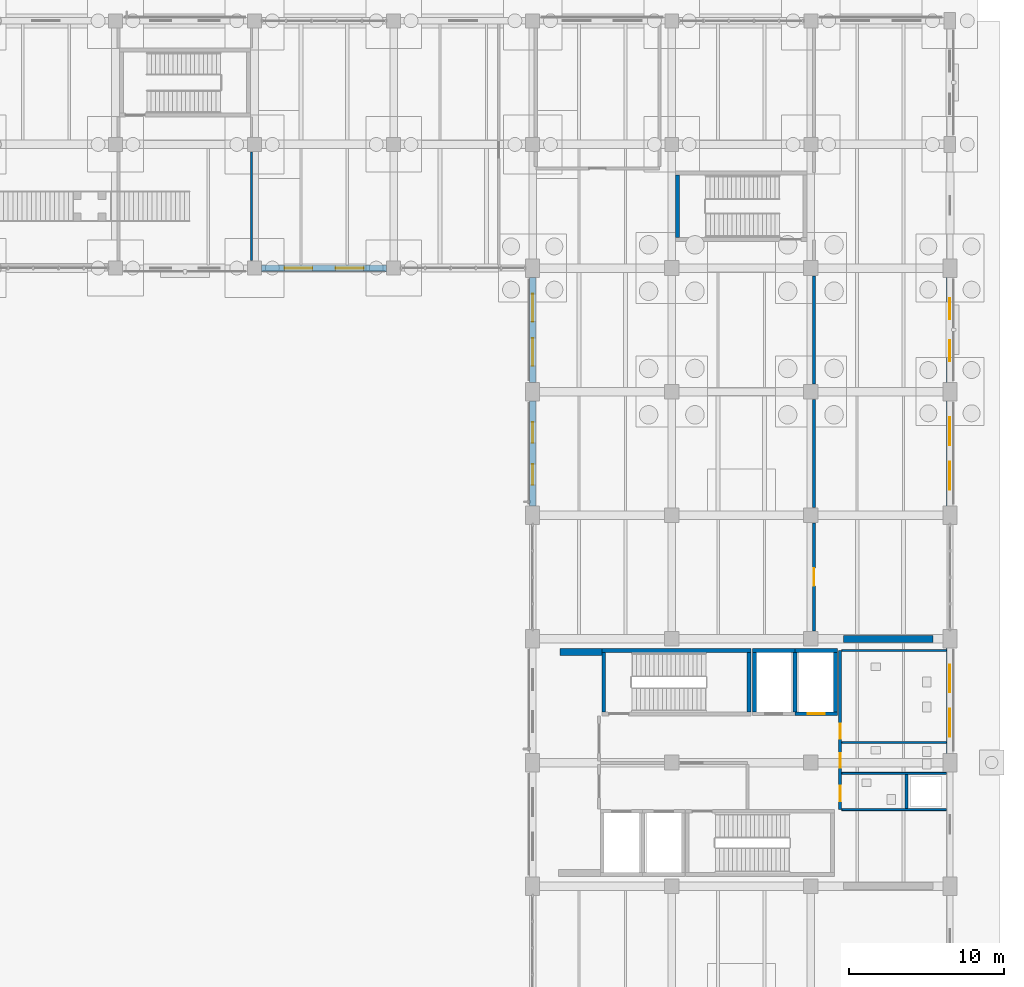
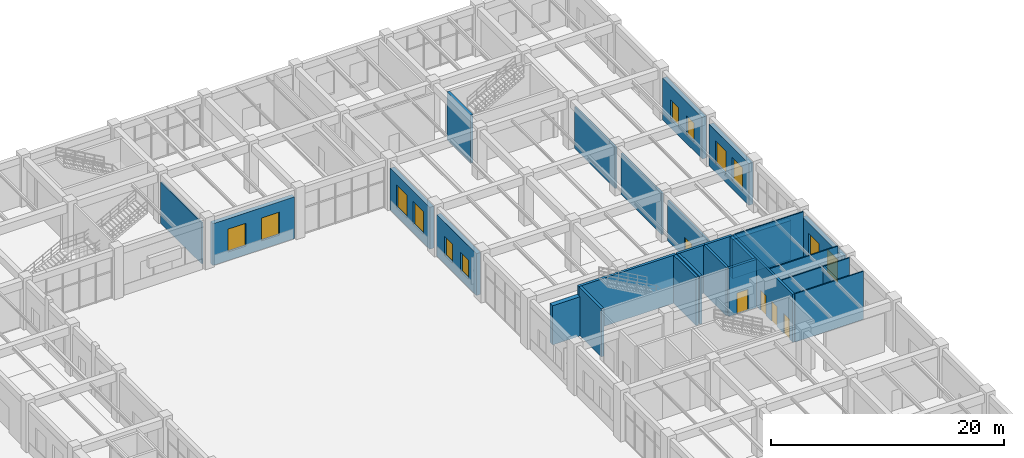
# One storey, part 99 of 121: 28 walls, 12 windows, 5 doors, 17 openings.
"""IFC4 building model written with IfcOpenShell, lengths in metres."""

import ifcopenshell
import ifcopenshell.guid

model = None  # the IFC model being written
_history = None  # IfcOwnerHistory: only IFC2X3 demands one
_inside = {}  # id of a spatial element -> (the spatial element, [elements in it])
_under = {}  # id of a project, library or spatial element -> (it, [spatial elements below it])
_declared = {}  # id of a project -> (the project, [libraries it declares])
_typed = {}  # id of a type object -> (the type object, [elements of that type])
_made_of = {}  # id of a material, layer set ... -> (it, [elements and type objects made of it])


def new_model(schema):
    """Start an empty IFC model of exactly this schema.

    Asked for "IFC4X3", IfcOpenShell would pick the latest addendum, in which some entities
    have other attributes; the version numbers below select the first issue.
    IFC2X3 requires an IfcOwnerHistory on every rooted entity: one is made here for all.
    """
    global model, _history
    if schema == "IFC4X3":
        model = ifcopenshell.file(schema_version=(4, 3, 0, 0))
    else:
        model = ifcopenshell.file(schema=schema)
    _inside.clear()
    _under.clear()
    _declared.clear()
    _typed.clear()
    _made_of.clear()
    _history = None
    if model.schema == "IFC2X3":
        org = make("IfcOrganization", Name="unknown")
        user = make(
            "IfcPersonAndOrganization",
            ThePerson=make("IfcPerson", FamilyName="unknown"),
            TheOrganization=org,
        )
        app = make(
            "IfcApplication",
            ApplicationDeveloper=org,
            Version="unknown",
            ApplicationFullName="unknown",
            ApplicationIdentifier="unknown",
        )
        _history = make(
            "IfcOwnerHistory",
            OwningUser=user,
            OwningApplication=app,
            ChangeAction="ADDED",
            CreationDate=0,
        )
    return model


def make(cls, **values):
    """One entity of the class cls with the attributes given. An attribute that is None is left unset."""
    return model.create_entity(
        cls, **{name: value for name, value in values.items() if value is not None}
    )


def rooted(cls, **values):
    """An entity with a GlobalId (a new one), such as an element, a storey or a relation."""
    return make(cls, GlobalId=ifcopenshell.guid.new(), OwnerHistory=_history, **values)


def si_unit(unit_type, name, prefix=None):
    """IfcSIUnit, for example si_unit("LENGTHUNIT", "METRE", prefix="MILLI")."""
    return make("IfcSIUnit", UnitType=unit_type, Prefix=prefix, Name=name)


def derived_unit(unit_type, elements):
    """IfcDerivedUnit: a product of units, each with its exponent."""
    return make(
        "IfcDerivedUnit",
        Elements=[
            make("IfcDerivedUnitElement", Unit=unit, Exponent=power)
            for unit, power in elements
        ],
        UnitType=unit_type,
    )


def assignment(units):
    """IfcUnitAssignment: the units of a project."""
    return None if units is None else make("IfcUnitAssignment", Units=units)


def point(xyz):
    """IfcCartesianPoint."""
    return None if xyz is None else make("IfcCartesianPoint", Coordinates=xyz)


def direction(xyz):
    """IfcDirection."""
    return None if xyz is None else make("IfcDirection", DirectionRatios=xyz)


def frame(location, z_axis=None, x_axis=None):
    """IfcAxis2Placement3D, a coordinate frame: its origin and axes. An axis left out is left unset."""
    return make(
        "IfcAxis2Placement3D",
        Location=point(location),
        Axis=direction(z_axis),
        RefDirection=direction(x_axis),
    )


def frame_2d(location, x_axis=None):
    """IfcAxis2Placement2D, a coordinate frame in the plane: its origin and x axis."""
    return make(
        "IfcAxis2Placement2D", Location=point(location), RefDirection=direction(x_axis)
    )


def origin():
    """The frame at (0, 0, 0) with its axes left unset."""
    return frame((0.0, 0.0, 0.0))


def place(relative_to, where):
    """IfcLocalPlacement: puts the frame where relative to a parent placement (None: the world)."""
    return make(
        "IfcLocalPlacement", PlacementRelTo=relative_to, RelativePlacement=where
    )


def context(
    kind, dimensions, precision=None, world=None, true_north=None, identifier=None
):
    """IfcGeometricRepresentationContext, for example the 3D "Model" context."""
    return make(
        "IfcGeometricRepresentationContext",
        ContextIdentifier=identifier,
        ContextType=kind,
        CoordinateSpaceDimension=dimensions,
        Precision=precision,
        WorldCoordinateSystem=world,
        TrueNorth=true_north,
    )


def subcontext(parent, identifier, kind, view, scale=None):
    """IfcGeometricRepresentationSubContext, for example "Body" below "Model"."""
    return make(
        "IfcGeometricRepresentationSubContext",
        ContextIdentifier=identifier,
        ContextType=kind,
        ParentContext=parent,
        TargetScale=scale,
        TargetView=view,
    )


def project(units=None, contexts=None):
    """IfcProject with its units and contexts."""
    return rooted(
        "IfcProject",
        Name="project",
        RepresentationContexts=contexts,
        UnitsInContext=assignment(units),
    )


def spatial(cls, under=None, at=None, **own):
    """A site, building, storey or space (cls), placed at a placement, below another one or the project."""
    s = rooted(cls, ObjectPlacement=at, **own)
    if under is not None:
        _under.setdefault(under.id(), (under, []))[1].append(s)
    return s


def profile(cls, at=None, kind="AREA", **sizes):
    """A parametric profile (cls). Its sizes go by their IFC names, for example OverallWidth=200.0."""
    return make(cls, ProfileType=kind, Position=at, **sizes)


def rectangle(**sizes):
    """IfcRectangleProfileDef."""
    return profile("IfcRectangleProfileDef", **sizes)


def extrude(swept, where, along, depth):
    """IfcExtrudedAreaSolid: the profile swept, set in the frame where, extruded along a direction by depth."""
    return make(
        "IfcExtrudedAreaSolid",
        SweptArea=swept,
        Position=where,
        ExtrudedDirection=direction(along),
        Depth=depth,
    )


def shape(context_of_items, identifier, shape_type, items):
    """IfcShapeRepresentation: the items that make up one representation, for example the "Body"."""
    return make(
        "IfcShapeRepresentation",
        ContextOfItems=context_of_items,
        RepresentationIdentifier=identifier,
        RepresentationType=shape_type,
        Items=items,
    )


def material(Name=None, Category=None):
    """IfcMaterial."""
    return make("IfcMaterial", Name=Name, Category=Category)


def layer(
    of_material, thickness, ventilated=None, Name=None, Category=None, Priority=None
):
    """IfcMaterialLayer: one layer of a wall or slab, of a material (None: an air gap)."""
    return make(
        "IfcMaterialLayer",
        Material=of_material,
        LayerThickness=thickness,
        IsVentilated=ventilated,
        Name=Name,
        Category=Category,
        Priority=Priority,
    )


def layer_set(layers, Name=None):
    """IfcMaterialLayerSet."""
    return make("IfcMaterialLayerSet", MaterialLayers=layers, LayerSetName=Name)


def made_of(thing, what):
    """Note that an element or type object is made of a material, layer set ...; save() writes the relation."""
    if what is not None:
        _made_of.setdefault(what.id(), (what, []))[1].append(thing)
    return thing


def type_object(cls, material=None, **own):
    """A type object (cls), such as IfcWallType, which elements share."""
    return made_of(rooted(cls, **own), material)


def element(
    cls,
    number,
    at=None,
    inside=None,
    cuts=None,
    type_object=None,
    material=None,
    context=None,
    identifier="Body",
    shape_type=None,
    held_by="IfcProductDefinitionShape",
    body=None,
    shapes=None,
    **own,
):
    """One element of the class cls, such as IfcWall. Its Tag is "e" and its number.

    at: its placement. inside: the storey or other place that contains it. cuts: it is an
    opening in that element (IfcRelVoidsElement). A single representation is given by context,
    identifier, shape_type and body (its items); several are given by shapes. held_by: the class
    of the entity that holds the representations. save() writes the other relations.
    """
    e = rooted(cls, Tag="e%d" % number, ObjectPlacement=at, **own)
    if body is not None:
        shapes = [shape(context, identifier, shape_type, body)]
    if shapes is not None:
        e.Representation = make(held_by, Representations=shapes)
    if inside is not None:
        _inside.setdefault(inside.id(), (inside, []))[1].append(e)
    if cuts is not None:
        rooted(
            "IfcRelVoidsElement", RelatingBuildingElement=cuts, RelatedOpeningElement=e
        )
    if type_object is not None:
        _typed.setdefault(type_object.id(), (type_object, []))[1].append(e)
    return made_of(e, material)


def fill(opening, filler):
    """IfcRelFillsElement: the door or window that sits in an opening."""
    return rooted(
        "IfcRelFillsElement",
        RelatingOpeningElement=opening,
        RelatedBuildingElement=filler,
    )


def aggregate(whole, parts):
    """IfcRelAggregates: a whole, such as a stair, and the parts it consists of."""
    return rooted("IfcRelAggregates", RelatingObject=whole, RelatedObjects=parts)


def save(model, path):
    """Write the relations noted so far, then the file.

    IfcRelAggregates (storeys below a building ...), IfcRelContainedInSpatialStructure (elements
    in a storey), IfcRelDefinesByType, IfcRelAssociatesMaterial and IfcRelDeclares: one each for
    every whole, place, type object, material and project.
    """
    for whole, parts in _under.values():
        aggregate(whole, parts)
    for where, things in _inside.values():
        rooted(
            "IfcRelContainedInSpatialStructure",
            RelatedElements=things,
            RelatingStructure=where,
        )
    for kind, things in _typed.values():
        rooted("IfcRelDefinesByType", RelatedObjects=things, RelatingType=kind)
    for what, things in _made_of.values():
        rooted("IfcRelAssociatesMaterial", RelatedObjects=things, RelatingMaterial=what)
    for by, libraries in _declared.values():
        rooted("IfcRelDeclares", RelatingContext=by, RelatedDefinitions=libraries)
    model.write(path)


model = new_model("IFC4")

# Units and contexts
model_context = context("Model", 3, precision=1e-05, world=origin(), true_north=direction((0.0, 1.0)))
body_context = subcontext(model_context, "Body", "Model", "MODEL_VIEW")
ifc_project = project(units=[si_unit("LENGTHUNIT", "METRE"), si_unit("AREAUNIT", "SQUARE_METRE"), si_unit("VOLUMEUNIT", "CUBIC_METRE"), si_unit("PLANEANGLEUNIT", "RADIAN"), si_unit("MASSUNIT", "GRAM", prefix="KILO"), derived_unit("THERMALTRANSMITTANCEUNIT", [(si_unit("MASSUNIT", "GRAM", prefix="KILO"), 1), (si_unit("TIMEUNIT", "SECOND"), -3), (si_unit("THERMODYNAMICTEMPERATUREUNIT", "KELVIN"), -1)])], contexts=[model_context])

# Site, building, storey
site_placement = place(None, origin())
site = spatial("IfcSite", under=ifc_project, at=site_placement, CompositionType="ELEMENT")
building_placement = place(site_placement, origin())
building = spatial("IfcBuilding", under=site, at=building_placement, Name="Zhenchuan Archway Interchange", CompositionType="ELEMENT")
storey_placement = place(building_placement, origin())
storey = spatial("IfcBuildingStorey", under=building, at=storey_placement, Name="L00", CompositionType="ELEMENT", Elevation=0.0)

# Wall, openings, windows
ifc_material_1 = material(Name="Granite Stone Cladding", Category="masonry")
ifc_layer_1 = layer(ifc_material_1, 0.419921875)
ifc_layer_set_1 = layer_set([ifc_layer_1], Name="Granite Stone Cladding")
wall_type_1 = type_object("IfcWallType", Name="EW_GRANITE_420", PredefinedType="STANDARD", material=ifc_layer_set_1)
wall_1_placement = place(storey_placement, frame((171.0, 87.402099609375, 0.0), z_axis=(0.0, 0.0, 1.0), x_axis=(0.0, -1.0, 0.0)))
wall_1 = element("IfcWall", 1, at=wall_1_placement, inside=storey, type_object=wall_type_1, Name="Exterior wall L00-067", PredefinedType="STANDARD", context=body_context, shape_type="SweptSolid", body=[
    extrude(rectangle(XDim=6.80419921875, YDim=0.419921875, at=frame_2d((3.402099609375, 0.0))), origin(), (0.0, 0.0, 1.0), 4.3798828125),
])
opening_1_placement = place(wall_1_placement, frame((1.367919921875, 0.0, 0.89990234375)))
opening_1 = element("IfcOpeningElement", 2, at=opening_1_placement, cuts=wall_1, Name="Opening W-06", PredefinedType="OPENING", context=body_context, shape_type="SweptSolid", body=[
    extrude(rectangle(XDim=1.35009765625, YDim=2.0, at=frame_2d((0.675048828125, 1.0))), frame((0.0, 0.221923828125, 0.0), z_axis=(0.0, -1.0, 0.0), x_axis=(1.0, 0.0, 0.0)), (0.0, 0.0, 1.0), 0.44384765625),
])
opening_2_placement = place(wall_1_placement, frame((4.0859375, 0.0, 0.89990234375)))
opening_2 = element("IfcOpeningElement", 3, at=opening_2_placement, cuts=wall_1, Name="Opening W-06", PredefinedType="OPENING", context=body_context, shape_type="SweptSolid", body=[
    extrude(rectangle(XDim=1.35009765625, YDim=2.0, at=frame_2d((0.675048828125, 1.0))), frame((0.0, 0.221923828125, 0.0), z_axis=(0.0, -1.0, 0.0), x_axis=(1.0, 0.0, 0.0)), (0.0, 0.0, 1.0), 0.44384765625),
])
ifc_material_2 = material(Name="Double Low-E Insulated Glazing", Category="glass")
window_type_1 = type_object("IfcWindowType", Name="WN_MOD_1350x2000", PartitioningType="SINGLE_PANEL", PredefinedType="WINDOW", material=ifc_material_2)
window_1_placement = place(opening_1_placement, origin())
window_1 = element("IfcWindow", 4, at=window_1_placement, inside=storey, type_object=window_type_1, Name="Window L00-0049", OverallHeight=2.0, OverallWidth=1.35009765625, PartitioningType="SINGLE_PANEL", PredefinedType="WINDOW", context=body_context, shape_type="SweptSolid", body=[
    extrude(rectangle(XDim=1.35009765625, YDim=2.0, at=frame_2d((0.675048828125, 1.0))), frame((0.0, 0.030029296875, 0.0), z_axis=(0.0, -1.0, 0.0), x_axis=(1.0, 0.0, 0.0)), (0.0, 0.0, 1.0), 0.06005859375),
])
fill(opening_1, window_1)
window_2_placement = place(opening_2_placement, origin())
window_2 = element("IfcWindow", 5, at=window_2_placement, inside=storey, type_object=window_type_1, Name="Window L00-0050", OverallHeight=2.0, OverallWidth=1.35009765625, PartitioningType="SINGLE_PANEL", PredefinedType="WINDOW", context=body_context, shape_type="SweptSolid", body=[
    extrude(rectangle(XDim=1.35009765625, YDim=2.0, at=frame_2d((0.675048828125, 1.0))), frame((0.0, 0.030029296875, 0.0), z_axis=(0.0, -1.0, 0.0), x_axis=(1.0, 0.0, 0.0)), (0.0, 0.0, 1.0), 0.06005859375),
])
fill(opening_2, window_2)

wall_2_placement = place(storey_placement, frame((171.0, 79.402099609375, 0.0), z_axis=(0.0, 0.0, 1.0), x_axis=(0.0, -1.0, 0.0)))
wall_2 = element("IfcWall", 6, at=wall_2_placement, inside=storey, type_object=wall_type_1, Name="Exterior wall L00-068", PredefinedType="STANDARD", context=body_context, shape_type="SweptSolid", body=[
    extrude(rectangle(XDim=6.80419921875, YDim=0.419921875, at=frame_2d((3.402099609375, 0.0))), origin(), (0.0, 0.0, 1.0), 4.3798828125),
])
opening_3_placement = place(wall_2_placement, frame((1.068115234375, 0.0, 0.89990234375)))
opening_3 = element("IfcOpeningElement", 7, at=opening_3_placement, cuts=wall_2, Name="Opening W-03", PredefinedType="OPENING", context=body_context, shape_type="SweptSolid", body=[
    extrude(rectangle(XDim=1.800048828125, YDim=2.39990234375, at=frame_2d((0.89990234375, 1.199951171875))), frame((0.0, 0.221923828125, 0.0), z_axis=(0.0, -1.0, 0.0), x_axis=(1.0, 0.0, 0.0)), (0.0, 0.0, 1.0), 0.44384765625),
])
opening_4_placement = place(wall_2_placement, frame((3.93603515625, 0.0, 0.89990234375)))
opening_4 = element("IfcOpeningElement", 8, at=opening_4_placement, cuts=wall_2, Name="Opening W-03", PredefinedType="OPENING", context=body_context, shape_type="SweptSolid", body=[
    extrude(rectangle(XDim=1.800048828125, YDim=2.39990234375, at=frame_2d((0.89990234375, 1.199951171875))), frame((0.0, 0.221923828125, 0.0), z_axis=(0.0, -1.0, 0.0), x_axis=(1.0, 0.0, 0.0)), (0.0, 0.0, 1.0), 0.44384765625),
])
window_type_2 = type_object("IfcWindowType", Name="WN_PUNCH_1800x2400", PartitioningType="SINGLE_PANEL", PredefinedType="WINDOW", material=ifc_material_2)
window_3_placement = place(opening_3_placement, origin())
window_3 = element("IfcWindow", 9, at=window_3_placement, inside=storey, type_object=window_type_2, Name="Window L00-0051", OverallHeight=2.39990234375, OverallWidth=1.800048828125, PartitioningType="SINGLE_PANEL", PredefinedType="WINDOW", context=body_context, shape_type="SweptSolid", body=[
    extrude(rectangle(XDim=1.800048828125, YDim=2.39990234375, at=frame_2d((0.89990234375, 1.199951171875))), frame((0.0, 0.030029296875, 0.0), z_axis=(0.0, -1.0, 0.0), x_axis=(1.0, 0.0, 0.0)), (0.0, 0.0, 1.0), 0.06005859375),
])
fill(opening_3, window_3)
window_4_placement = place(opening_4_placement, origin())
window_4 = element("IfcWindow", 10, at=window_4_placement, inside=storey, type_object=window_type_2, Name="Window L00-0052", OverallHeight=2.39990234375, OverallWidth=1.800048828125, PartitioningType="SINGLE_PANEL", PredefinedType="WINDOW", context=body_context, shape_type="SweptSolid", body=[
    extrude(rectangle(XDim=1.800048828125, YDim=2.39990234375, at=frame_2d((0.89990234375, 1.199951171875))), frame((0.0, 0.030029296875, 0.0), z_axis=(0.0, -1.0, 0.0), x_axis=(1.0, 0.0, 0.0)), (0.0, 0.0, 1.0), 0.06005859375),
])
fill(opening_4, window_4)

wall_3_placement = place(storey_placement, frame((171.0, 63.402099609375, 0.0), z_axis=(0.0, 0.0, 1.0), x_axis=(0.0, -1.0, 0.0)))
wall_3 = element("IfcWall", 11, at=wall_3_placement, inside=storey, type_object=wall_type_1, Name="Exterior wall L00-070", PredefinedType="STANDARD", context=body_context, shape_type="SweptSolid", body=[
    extrude(rectangle(XDim=6.80419921875, YDim=0.419921875, at=frame_2d((3.402099609375, 0.0))), origin(), (0.0, 0.0, 1.0), 4.3798828125),
])
opening_5_placement = place(wall_3_placement, frame((1.068115234375, 0.0, 0.89990234375)))
opening_5 = element("IfcOpeningElement", 12, at=opening_5_placement, cuts=wall_3, Name="Opening W-03", PredefinedType="OPENING", context=body_context, shape_type="SweptSolid", body=[
    extrude(rectangle(XDim=1.800048828125, YDim=2.39990234375, at=frame_2d((0.89990234375, 1.199951171875))), frame((0.0, 0.221923828125, 0.0), z_axis=(0.0, -1.0, 0.0), x_axis=(1.0, 0.0, 0.0)), (0.0, 0.0, 1.0), 0.44384765625),
])
opening_6_placement = place(wall_3_placement, frame((3.93603515625, 0.0, 0.89990234375)))
opening_6 = element("IfcOpeningElement", 13, at=opening_6_placement, cuts=wall_3, Name="Opening W-03", PredefinedType="OPENING", context=body_context, shape_type="SweptSolid", body=[
    extrude(rectangle(XDim=1.800048828125, YDim=2.39990234375, at=frame_2d((0.89990234375, 1.199951171875))), frame((0.0, 0.221923828125, 0.0), z_axis=(0.0, -1.0, 0.0), x_axis=(1.0, 0.0, 0.0)), (0.0, 0.0, 1.0), 0.44384765625),
])
window_5_placement = place(opening_5_placement, origin())
window_5 = element("IfcWindow", 14, at=window_5_placement, inside=storey, type_object=window_type_2, Name="Window L00-0053", OverallHeight=2.39990234375, OverallWidth=1.800048828125, PartitioningType="SINGLE_PANEL", PredefinedType="WINDOW", context=body_context, shape_type="SweptSolid", body=[
    extrude(rectangle(XDim=1.800048828125, YDim=2.39990234375, at=frame_2d((0.89990234375, 1.199951171875))), frame((0.0, 0.030029296875, 0.0), z_axis=(0.0, -1.0, 0.0), x_axis=(1.0, 0.0, 0.0)), (0.0, 0.0, 1.0), 0.06005859375),
])
fill(opening_5, window_5)
window_6_placement = place(opening_6_placement, origin())
window_6 = element("IfcWindow", 15, at=window_6_placement, inside=storey, type_object=window_type_2, Name="Window L00-0054", OverallHeight=2.39990234375, OverallWidth=1.800048828125, PartitioningType="SINGLE_PANEL", PredefinedType="WINDOW", context=body_context, shape_type="SweptSolid", body=[
    extrude(rectangle(XDim=1.800048828125, YDim=2.39990234375, at=frame_2d((0.89990234375, 1.199951171875))), frame((0.0, 0.030029296875, 0.0), z_axis=(0.0, -1.0, 0.0), x_axis=(1.0, 0.0, 0.0)), (0.0, 0.0, 1.0), 0.06005859375),
])
fill(opening_6, window_6)

wall_4_placement = place(storey_placement, frame((144.0, 72.597900390625, 0.0), z_axis=(0.0, 0.0, 1.0), x_axis=(0.0, 1.0, 0.0)))
wall_4 = element("IfcWall", 16, at=wall_4_placement, inside=storey, type_object=wall_type_1, Name="Exterior wall L00-109", PredefinedType="STANDARD", context=body_context, shape_type="SweptSolid", body=[
    extrude(rectangle(XDim=6.80419921875, YDim=0.419921875, at=frame_2d((3.402099609375, 0.0))), origin(), (0.0, 0.0, 1.0), 4.3798828125),
])
opening_7_placement = place(wall_4_placement, frame((1.367919921875, 0.0, 0.89990234375)))
opening_7 = element("IfcOpeningElement", 17, at=opening_7_placement, cuts=wall_4, Name="Opening W-06", PredefinedType="OPENING", context=body_context, shape_type="SweptSolid", body=[
    extrude(rectangle(XDim=1.35009765625, YDim=2.0, at=frame_2d((0.675048828125, 1.0))), frame((0.0, 0.221923828125, 0.0), z_axis=(0.0, -1.0, 0.0), x_axis=(1.0, 0.0, 0.0)), (0.0, 0.0, 1.0), 0.44384765625),
])
opening_8_placement = place(wall_4_placement, frame((4.0859375, 0.0, 0.89990234375)))
opening_8 = element("IfcOpeningElement", 18, at=opening_8_placement, cuts=wall_4, Name="Opening W-06", PredefinedType="OPENING", context=body_context, shape_type="SweptSolid", body=[
    extrude(rectangle(XDim=1.35009765625, YDim=2.0, at=frame_2d((0.675048828125, 1.0))), frame((0.0, 0.221923828125, 0.0), z_axis=(0.0, -1.0, 0.0), x_axis=(1.0, 0.0, 0.0)), (0.0, 0.0, 1.0), 0.44384765625),
])
window_7_placement = place(opening_7_placement, origin())
window_7 = element("IfcWindow", 19, at=window_7_placement, inside=storey, type_object=window_type_1, Name="Window L00-0088", OverallHeight=2.0, OverallWidth=1.35009765625, PartitioningType="SINGLE_PANEL", PredefinedType="WINDOW", context=body_context, shape_type="SweptSolid", body=[
    extrude(rectangle(XDim=1.35009765625, YDim=2.0, at=frame_2d((0.675048828125, 1.0))), frame((0.0, 0.030029296875, 0.0), z_axis=(0.0, -1.0, 0.0), x_axis=(1.0, 0.0, 0.0)), (0.0, 0.0, 1.0), 0.06005859375),
])
fill(opening_7, window_7)
window_8_placement = place(opening_8_placement, origin())
window_8 = element("IfcWindow", 20, at=window_8_placement, inside=storey, type_object=window_type_1, Name="Window L00-0089", OverallHeight=2.0, OverallWidth=1.35009765625, PartitioningType="SINGLE_PANEL", PredefinedType="WINDOW", context=body_context, shape_type="SweptSolid", body=[
    extrude(rectangle(XDim=1.35009765625, YDim=2.0, at=frame_2d((0.675048828125, 1.0))), frame((0.0, 0.030029296875, 0.0), z_axis=(0.0, -1.0, 0.0), x_axis=(1.0, 0.0, 0.0)), (0.0, 0.0, 1.0), 0.06005859375),
])
fill(opening_8, window_8)

wall_5_placement = place(storey_placement, frame((144.0, 80.597900390625, 0.0), z_axis=(0.0, 0.0, 1.0), x_axis=(0.0, 1.0, 0.0)))
wall_5 = element("IfcWall", 21, at=wall_5_placement, inside=storey, type_object=wall_type_1, Name="Exterior wall L00-110", PredefinedType="STANDARD", context=body_context, shape_type="SweptSolid", body=[
    extrude(rectangle(XDim=6.80419921875, YDim=0.419921875, at=frame_2d((3.402099609375, 0.0))), origin(), (0.0, 0.0, 1.0), 4.3798828125),
])
opening_9_placement = place(wall_5_placement, frame((1.068115234375, 0.0, 0.89990234375)))
opening_9 = element("IfcOpeningElement", 22, at=opening_9_placement, cuts=wall_5, Name="Opening W-03", PredefinedType="OPENING", context=body_context, shape_type="SweptSolid", body=[
    extrude(rectangle(XDim=1.800048828125, YDim=2.39990234375, at=frame_2d((0.89990234375, 1.199951171875))), frame((0.0, 0.221923828125, 0.0), z_axis=(0.0, -1.0, 0.0), x_axis=(1.0, 0.0, 0.0)), (0.0, 0.0, 1.0), 0.44384765625),
])
opening_10_placement = place(wall_5_placement, frame((3.93603515625, 0.0, 0.89990234375)))
opening_10 = element("IfcOpeningElement", 23, at=opening_10_placement, cuts=wall_5, Name="Opening W-03", PredefinedType="OPENING", context=body_context, shape_type="SweptSolid", body=[
    extrude(rectangle(XDim=1.800048828125, YDim=2.39990234375, at=frame_2d((0.89990234375, 1.199951171875))), frame((0.0, 0.221923828125, 0.0), z_axis=(0.0, -1.0, 0.0), x_axis=(1.0, 0.0, 0.0)), (0.0, 0.0, 1.0), 0.44384765625),
])
window_9_placement = place(opening_9_placement, origin())
window_9 = element("IfcWindow", 24, at=window_9_placement, inside=storey, type_object=window_type_2, Name="Window L00-0090", OverallHeight=2.39990234375, OverallWidth=1.800048828125, PartitioningType="SINGLE_PANEL", PredefinedType="WINDOW", context=body_context, shape_type="SweptSolid", body=[
    extrude(rectangle(XDim=1.800048828125, YDim=2.39990234375, at=frame_2d((0.89990234375, 1.199951171875))), frame((0.0, 0.030029296875, 0.0), z_axis=(0.0, -1.0, 0.0), x_axis=(1.0, 0.0, 0.0)), (0.0, 0.0, 1.0), 0.06005859375),
])
fill(opening_9, window_9)
window_10_placement = place(opening_10_placement, origin())
window_10 = element("IfcWindow", 25, at=window_10_placement, inside=storey, type_object=window_type_2, Name="Window L00-0091", OverallHeight=2.39990234375, OverallWidth=1.800048828125, PartitioningType="SINGLE_PANEL", PredefinedType="WINDOW", context=body_context, shape_type="SweptSolid", body=[
    extrude(rectangle(XDim=1.800048828125, YDim=2.39990234375, at=frame_2d((0.89990234375, 1.199951171875))), frame((0.0, 0.030029296875, 0.0), z_axis=(0.0, -1.0, 0.0), x_axis=(1.0, 0.0, 0.0)), (0.0, 0.0, 1.0), 0.06005859375),
])
fill(opening_10, window_10)

wall_6_placement = place(storey_placement, frame((134.552001953125, 88.0, 0.0), z_axis=(0.0, 0.0, 1.0), x_axis=(-1.0, 0.0, 0.0)))
wall_6 = element("IfcWall", 26, at=wall_6_placement, inside=storey, type_object=wall_type_1, Name="Exterior wall L00-112", PredefinedType="STANDARD", context=body_context, shape_type="SweptSolid", body=[
    extrude(rectangle(XDim=8.10400390625, YDim=0.419921875, at=frame_2d((4.052001953125, 0.0))), origin(), (0.0, 0.0, 1.0), 4.3798828125),
])
opening_11_placement = place(wall_6_placement, frame((1.501220703125, 0.0, 0.89990234375)))
opening_11 = element("IfcOpeningElement", 27, at=opening_11_placement, cuts=wall_6, Name="Opening W-03", PredefinedType="OPENING", context=body_context, shape_type="SweptSolid", body=[
    extrude(rectangle(XDim=1.800048828125, YDim=2.39990234375, at=frame_2d((0.89990234375, 1.199951171875))), frame((0.0, 0.221923828125, 0.0), z_axis=(0.0, -1.0, 0.0), x_axis=(1.0, 0.0, 0.0)), (0.0, 0.0, 1.0), 0.44384765625),
])
opening_12_placement = place(wall_6_placement, frame((4.802734375, 0.0, 0.89990234375)))
opening_12 = element("IfcOpeningElement", 28, at=opening_12_placement, cuts=wall_6, Name="Opening W-03", PredefinedType="OPENING", context=body_context, shape_type="SweptSolid", body=[
    extrude(rectangle(XDim=1.800048828125, YDim=2.39990234375, at=frame_2d((0.89990234375, 1.199951171875))), frame((0.0, 0.221923828125, 0.0), z_axis=(0.0, -1.0, 0.0), x_axis=(1.0, 0.0, 0.0)), (0.0, 0.0, 1.0), 0.44384765625),
])
window_11_placement = place(opening_11_placement, origin())
window_11 = element("IfcWindow", 29, at=window_11_placement, inside=storey, type_object=window_type_2, Name="Window L00-0092", OverallHeight=2.39990234375, OverallWidth=1.800048828125, PartitioningType="SINGLE_PANEL", PredefinedType="WINDOW", context=body_context, shape_type="SweptSolid", body=[
    extrude(rectangle(XDim=1.800048828125, YDim=2.39990234375, at=frame_2d((0.89990234375, 1.199951171875))), frame((0.0, 0.030029296875, 0.0), z_axis=(0.0, -1.0, 0.0), x_axis=(1.0, 0.0, 0.0)), (0.0, 0.0, 1.0), 0.06005859375),
])
fill(opening_11, window_11)
window_12_placement = place(opening_12_placement, origin())
window_12 = element("IfcWindow", 30, at=window_12_placement, inside=storey, type_object=window_type_2, Name="Window L00-0093", OverallHeight=2.39990234375, OverallWidth=1.800048828125, PartitioningType="SINGLE_PANEL", PredefinedType="WINDOW", context=body_context, shape_type="SweptSolid", body=[
    extrude(rectangle(XDim=1.800048828125, YDim=2.39990234375, at=frame_2d((0.89990234375, 1.199951171875))), frame((0.0, 0.030029296875, 0.0), z_axis=(0.0, -1.0, 0.0), x_axis=(1.0, 0.0, 0.0)), (0.0, 0.0, 1.0), 0.06005859375),
])
fill(opening_12, window_12)

# Walls
ifc_material_3 = material(Name="Concrete C50", Category="concrete")
ifc_layer_2 = layer(ifc_material_3, 0.449951171875)
ifc_layer_set_2 = layer_set([ifc_layer_2], Name="Concrete C50")
wall_type_2 = type_object("IfcWallType", Name="WL_CORE_450", PredefinedType="SHEAR", material=ifc_layer_set_2)
wall_7_placement = place(storey_placement, frame((145.77490234375, 63.14990234375, 0.0), z_axis=(0.0, 0.0, 1.0), x_axis=(1.0, 0.0, 0.0)))
element("IfcWall", 31, at=wall_7_placement, inside=storey, type_object=wall_type_2, Name="Operations lateral shear wall W-N (L00)", PredefinedType="SHEAR", context=body_context, shape_type="SweptSolid", body=[
    extrude(rectangle(XDim=2.7001953125, YDim=0.449951171875, at=frame_2d((1.35009765625, 0.0))), origin(), (0.0, 0.0, 1.0), 4.10009765625),
])
wall_8_placement = place(storey_placement, frame((164.10009765625, 64.0, 0.0), z_axis=(0.0, 0.0, 1.0), x_axis=(1.0, 0.0, 0.0)))
element("IfcWall", 32, at=wall_8_placement, inside=storey, type_object=wall_type_2, Name="Operations lateral shear wall E-N (L00)", PredefinedType="SHEAR", context=body_context, shape_type="SweptSolid", body=[
    extrude(rectangle(XDim=5.7998046875, YDim=0.449951171875, at=frame_2d((2.89990234375, 0.0))), origin(), (0.0, 0.0, 1.0), 4.10009765625),
])

# Wall, openings, doors
ifc_material_4 = material(Name="Autoclaved Aerated Concrete Block", Category="concrete")
ifc_layer_3 = layer(ifc_material_4, 0.199951171875)
ifc_layer_set_3 = layer_set([ifc_layer_3], Name="Autoclaved Aerated Concrete Block")
wall_type_3 = type_object("IfcWallType", Name="WL_FIRE_200", PredefinedType="STANDARD", material=ifc_layer_set_3)
wall_9_placement = place(storey_placement, frame((163.89990234375, 52.949951171875, 0.0), z_axis=(0.0, 0.0, 1.0), x_axis=(0.0, 1.0, 0.0)))
wall_9 = element("IfcWall", 33, at=wall_9_placement, inside=storey, type_object=wall_type_3, Name="Sanitary block west wall (L00)", PredefinedType="STANDARD", context=body_context, shape_type="SweptSolid", body=[
    extrude(rectangle(XDim=10.300048828125, YDim=0.199951171875, at=frame_2d((5.14990234375, 0.0))), origin(), (0.0, 0.0, 1.0), 5.050048828125),
])
opening_13_placement = place(wall_9_placement, frame((0.550048828125, 0.0, 0.0)))
opening_13 = element("IfcOpeningElement", 34, at=opening_13_placement, cuts=wall_9, Name="Opening ID-02", PredefinedType="OPENING", context=body_context, shape_type="SweptSolid", body=[
    extrude(rectangle(XDim=1.0, YDim=2.10009765625, at=frame_2d((0.5, 1.050048828125))), frame((0.0, 0.11181640625, 0.0), z_axis=(0.0, -1.0, 0.0), x_axis=(1.0, 0.0, 0.0)), (0.0, 0.0, 1.0), 0.223876953125),
])
opening_14_placement = place(wall_9_placement, frame((2.699951171875, 0.0, 0.0)))
opening_14 = element("IfcOpeningElement", 35, at=opening_14_placement, cuts=wall_9, Name="Opening ID-03", PredefinedType="OPENING", context=body_context, shape_type="SweptSolid", body=[
    extrude(rectangle(XDim=0.949951171875, YDim=2.10009765625, at=frame_2d((0.47509765625, 1.050048828125))), frame((0.0, 0.11181640625, 0.0), z_axis=(0.0, -1.0, 0.0), x_axis=(1.0, 0.0, 0.0)), (0.0, 0.0, 1.0), 0.223876953125),
])
opening_15_placement = place(wall_9_placement, frame((4.60009765625, 0.0, 0.0)))
opening_15 = element("IfcOpeningElement", 36, at=opening_15_placement, cuts=wall_9, Name="Opening ID-03", PredefinedType="OPENING", context=body_context, shape_type="SweptSolid", body=[
    extrude(rectangle(XDim=0.949951171875, YDim=2.10009765625, at=frame_2d((0.47509765625, 1.050048828125))), frame((0.0, 0.11181640625, 0.0), z_axis=(0.0, -1.0, 0.0), x_axis=(1.0, 0.0, 0.0)), (0.0, 0.0, 1.0), 0.223876953125),
])
ifc_material_5 = material(Name="Hardwood Timber", Category="wood")
door_type_1 = type_object("IfcDoorType", Name="DR_OPS_100", OperationType="NOTDEFINED", PredefinedType="DOOR", material=ifc_material_5)
door_1_placement = place(opening_13_placement, origin())
door_1 = element("IfcDoor", 37, at=door_1_placement, inside=storey, type_object=door_type_1, Name="Accessible WC door (L00)", OperationType="SINGLE_SWING_RIGHT", OverallHeight=2.10009765625, OverallWidth=1.0, PredefinedType="DOOR", context=body_context, shape_type="SweptSolid", body=[
    extrude(rectangle(XDim=1.0, YDim=2.10009765625, at=frame_2d((0.5, 1.050048828125))), frame((0.0, 0.02490234375, 0.0), z_axis=(0.0, -1.0, 0.0), x_axis=(1.0, 0.0, 0.0)), (0.0, 0.0, 1.0), 0.050048828125),
])
fill(opening_13, door_1)
door_type_2 = type_object("IfcDoorType", Name="DR_WC_95", OperationType="NOTDEFINED", PredefinedType="DOOR", material=ifc_material_5)
door_2_placement = place(opening_14_placement, origin())
door_2 = element("IfcDoor", 38, at=door_2_placement, inside=storey, type_object=door_type_2, Name="Male toilet door (L00)", OperationType="SINGLE_SWING_LEFT", OverallHeight=2.10009765625, OverallWidth=0.949951171875, PredefinedType="DOOR", context=body_context, shape_type="SweptSolid", body=[
    extrude(rectangle(XDim=0.949951171875, YDim=2.10009765625, at=frame_2d((0.47509765625, 1.050048828125))), frame((0.0, 0.02490234375, 0.0), z_axis=(0.0, -1.0, 0.0), x_axis=(1.0, 0.0, 0.0)), (0.0, 0.0, 1.0), 0.050048828125),
])
fill(opening_14, door_2)
door_3_placement = place(opening_15_placement, origin())
door_3 = element("IfcDoor", 39, at=door_3_placement, inside=storey, type_object=door_type_2, Name="Female toilet door (L00)", OperationType="SINGLE_SWING_RIGHT", OverallHeight=2.10009765625, OverallWidth=0.949951171875, PredefinedType="DOOR", context=body_context, shape_type="SweptSolid", body=[
    extrude(rectangle(XDim=0.949951171875, YDim=2.10009765625, at=frame_2d((0.47509765625, 1.050048828125))), frame((0.0, 0.02490234375, 0.0), z_axis=(0.0, -1.0, 0.0), x_axis=(1.0, 0.0, 0.0)), (0.0, 0.0, 1.0), 0.050048828125),
])
fill(opening_15, door_3)

# Walls
wall_10_placement = place(storey_placement, frame((168.199951171875, 53.02001953125, 0.0), z_axis=(0.0, 0.0, 1.0), x_axis=(0.0, 1.0, 0.0)))
element("IfcWall", 40, at=wall_10_placement, inside=storey, type_object=wall_type_3, Name="MEP riser west fire wall (L00)", PredefinedType="STANDARD", context=body_context, shape_type="SweptSolid", body=[
    extrude(rectangle(XDim=2.2099609375, YDim=0.199951171875, at=frame_2d((1.10498046875, 0.0))), origin(), (0.0, 0.0, 1.0), 5.050048828125),
])
ifc_material_6 = material(Name="Concrete C40", Category="concrete")
ifc_layer_4 = layer(ifc_material_6, 0.239990234375)
ifc_layer_set_4 = layer_set([ifc_layer_4], Name="Concrete C40")
wall_type_4 = type_object("IfcWallType", Name="WL_LIFT_240", PredefinedType="SHEAR", material=ifc_layer_set_4)
wall_11_placement = place(storey_placement, frame((160.97509765625, 63.25, 0.0), z_axis=(0.0, 0.0, 1.0), x_axis=(-1.0, 0.0, 0.0)))
element("IfcWall", 41, at=wall_11_placement, inside=storey, type_object=wall_type_4, Name="Lift LF-06 north shaft wall (L00)", PredefinedType="SHEAR", context=body_context, shape_type="SweptSolid", body=[
    extrude(rectangle(XDim=2.7451171875, YDim=0.239990234375, at=frame_2d((1.37255859375, 0.0))), origin(), (0.0, 0.0, 1.0), 5.050048828125),
])
for number, where, z_axis, x_axis, name in (
    (42, (158.35009765625, 63.1298828125, 0.0), (0.0, 0.0, 1.0), (0.0, -1.0, 0.0), "Lift LF-06 west shaft wall (L00)"),
    (43, (160.97509765625, 59.27001953125, 0.0), (0.0, 0.0, 1.0), (0.0, 1.0, 0.0), "Lift LF-06 east shaft wall (L00)"),
):
    element("IfcWall", number, at=place(storey_placement, frame(where, z_axis=z_axis, x_axis=x_axis)), inside=storey, type_object=wall_type_4, Name=name, PredefinedType="SHEAR", context=body_context, shape_type="SweptSolid", body=[
        extrude(rectangle(XDim=3.85986328125, YDim=0.239990234375, at=frame_2d((1.929931640625, 0.0))), origin(), (0.0, 0.0, 1.0), 5.050048828125),
    ])

# Wall, opening, door
wall_12_placement = place(storey_placement, frame((160.97509765625, 59.14990234375, 0.0), z_axis=(0.0, 0.0, 1.0), x_axis=(1.0, 0.0, 0.0)))
wall_12 = element("IfcWall", 44, at=wall_12_placement, inside=storey, type_object=wall_type_4, Name="Lift LF-07 south shaft wall (L00)", PredefinedType="SHEAR", context=body_context, shape_type="SweptSolid", body=[
    extrude(rectangle(XDim=2.744873046875, YDim=0.239990234375, at=frame_2d((1.37255859375, 0.0))), origin(), (0.0, 0.0, 1.0), 5.050048828125),
])
opening_16_placement = place(wall_12_placement, frame((0.824951171875, 0.0, 0.0)))
opening_16 = element("IfcOpeningElement", 45, at=opening_16_placement, cuts=wall_12, Name="Opening LD-01", PredefinedType="OPENING", context=body_context, shape_type="SweptSolid", body=[
    extrude(rectangle(XDim=1.10009765625, YDim=2.199951171875, at=frame_2d((0.550048828125, 1.10009765625))), frame((0.0, 0.1318359375, 0.0), z_axis=(0.0, -1.0, 0.0), x_axis=(1.0, 0.0, 0.0)), (0.0, 0.0, 1.0), 0.263916015625),
])
ifc_material_7 = material(Name="Stainless Steel 304", Category="steel")
door_type_3 = type_object("IfcDoorType", Name="DR_LIFT_LD110", OperationType="DOUBLE_DOOR_SLIDING", PredefinedType="DOOR", material=ifc_material_7)
door_4_placement = place(opening_16_placement, origin())
door_4 = element("IfcDoor", 46, at=door_4_placement, inside=storey, type_object=door_type_3, Name="Lift LF-07 landing door (L00)", OperationType="DOUBLE_DOOR_SLIDING", OverallHeight=2.199951171875, OverallWidth=1.10009765625, PredefinedType="DOOR", context=body_context, shape_type="SweptSolid", body=[
    extrude(rectangle(XDim=1.10009765625, YDim=2.199951171875, at=frame_2d((0.550048828125, 1.10009765625))), frame((0.0, 0.02490234375, 0.0), z_axis=(0.0, -1.0, 0.0), x_axis=(1.0, 0.0, 0.0)), (0.0, 0.0, 1.0), 0.050048828125),
])
fill(opening_16, door_4)

# Walls
wall_13_placement = place(storey_placement, frame((163.719970703125, 63.25, 0.0), z_axis=(0.0, 0.0, 1.0), x_axis=(-1.0, 0.0, 0.0)))
element("IfcWall", 47, at=wall_13_placement, inside=storey, type_object=wall_type_4, Name="Lift LF-07 north shaft wall (L00)", PredefinedType="SHEAR", context=body_context, shape_type="SweptSolid", body=[
    extrude(rectangle(XDim=2.744873046875, YDim=0.239990234375, at=frame_2d((1.37255859375, 0.0))), origin(), (0.0, 0.0, 1.0), 5.050048828125),
])
wall_14_placement = place(storey_placement, frame((163.60009765625, 59.27001953125, 0.0), z_axis=(0.0, 0.0, 1.0), x_axis=(0.0, 1.0, 0.0)))
element("IfcWall", 48, at=wall_14_placement, inside=storey, type_object=wall_type_4, Name="Lift LF-07 east shaft wall (L00)", PredefinedType="SHEAR", context=body_context, shape_type="SweptSolid", body=[
    extrude(rectangle(XDim=3.85986328125, YDim=0.239990234375, at=frame_2d((1.929931640625, 0.0))), origin(), (0.0, 0.0, 1.0), 5.050048828125),
])
ifc_material_8 = material(Name="Gypsum Plasterboard", Category="gypsum")
ifc_layer_5 = layer(ifc_material_8, 0.14990234375)
ifc_layer_set_5 = layer_set([ifc_layer_5], Name="Gypsum Plasterboard")
wall_type_5 = type_object("IfcWallType", Name="WL_PART_150", PredefinedType="STANDARD", material=ifc_layer_set_5)
wall_15_placement = place(storey_placement, frame((125.800048828125, 88.47509765625, 0.0), z_axis=(0.0, 0.0, 1.0), x_axis=(0.0, 1.0, 0.0)))
element("IfcWall", 49, at=wall_15_placement, inside=storey, type_object=wall_type_5, Name="Lost Property and Network Enquiries Room W partition (L00)", PredefinedType="STANDARD", context=body_context, shape_type="SweptSolid", body=[
    extrude(rectangle(XDim=7.0498046875, YDim=0.14990234375, at=frame_2d((3.52490234375, 0.0))), origin(), (0.0, 0.0, 1.0), 4.330078125),
])

# Wall, opening, door
ifc_material_9 = material(Name="Concrete Block Masonry", Category="masonry")
ifc_layer_6 = layer(ifc_material_9, 0.179931640625)
ifc_layer_set_6 = layer_set([ifc_layer_6], Name="Concrete Block Masonry")
wall_type_6 = type_object("IfcWallType", Name="WL_PART_180", PredefinedType="STANDARD", material=ifc_layer_set_6)
wall_16_placement = place(storey_placement, frame((162.199951171875, 64.5, 0.0), z_axis=(0.0, 0.0, 1.0), x_axis=(0.0, 1.0, 0.0)))
wall_16 = element("IfcWall", 50, at=wall_16_placement, inside=storey, type_object=wall_type_6, Name="Station Facilities Response Workshop W partition (L00)", PredefinedType="STANDARD", context=body_context, shape_type="SweptSolid", body=[
    extrude(rectangle(XDim=7.0, YDim=0.179931640625, at=frame_2d((3.5, 0.0))), origin(), (0.0, 0.0, 1.0), 4.22998046875),
])
opening_17_placement = place(wall_16_placement, frame((2.925048828125, 0.0, 0.0)))
opening_17 = element("IfcOpeningElement", 51, at=opening_17_placement, cuts=wall_16, Name="Opening ID-06", PredefinedType="OPENING", context=body_context, shape_type="SweptSolid", body=[
    extrude(rectangle(XDim=1.14990234375, YDim=2.14990234375, at=frame_2d((0.574951171875, 1.074951171875))), frame((0.0, 0.10205078125, 0.0), z_axis=(0.0, -1.0, 0.0), x_axis=(1.0, 0.0, 0.0)), (0.0, 0.0, 1.0), 0.203857421875),
])
door_type_4 = type_object("IfcDoorType", Name="DR_CTRL_115", OperationType="NOTDEFINED", PredefinedType="DOOR", material=ifc_material_5)
door_5_placement = place(opening_17_placement, origin())
door_5 = element("IfcDoor", 52, at=door_5_placement, inside=storey, type_object=door_type_4, Name="Station Facilities Response Workshop door (L00)", OperationType="SINGLE_SWING_RIGHT", OverallHeight=2.14990234375, OverallWidth=1.14990234375, PredefinedType="DOOR", context=body_context, shape_type="SweptSolid", body=[
    extrude(rectangle(XDim=1.14990234375, YDim=2.14990234375, at=frame_2d((0.574951171875, 1.074951171875))), frame((0.0, 0.02490234375, 0.0), z_axis=(0.0, -1.0, 0.0), x_axis=(1.0, 0.0, 0.0)), (0.0, 0.0, 1.0), 0.050048828125),
])
fill(opening_17, door_5)

# Walls
for number, where, z_axis, x_axis, name in (
    (53, (162.199951171875, 72.5, 0.0), (0.0, 0.0, 1.0), (0.0, 1.0, 0.0), "Station Facilities Response Workshop W partition (L00)"),
    (54, (162.199951171875, 80.5, 0.0), (0.0, 0.0, 1.0), (0.0, 1.0, 0.0), "Station Facilities Response Workshop W partition (L00)"),
):
    element("IfcWall", number, at=place(storey_placement, frame(where, z_axis=z_axis, x_axis=x_axis)), inside=storey, type_object=wall_type_6, Name=name, PredefinedType="STANDARD", context=body_context, shape_type="SweptSolid", body=[
        extrude(rectangle(XDim=7.0, YDim=0.179931640625, at=frame_2d((3.5, 0.0))), origin(), (0.0, 0.0, 1.0), 4.330078125),
    ])
ifc_layer_7 = layer(ifc_material_6, 0.25)
ifc_layer_set_7 = layer_set([ifc_layer_7], Name="Concrete C40")
wall_type_7 = type_object("IfcWallType", Name="WL_STAIR_250", PredefinedType="SHEAR", material=ifc_layer_set_7)
wall_17_placement = place(storey_placement, frame((158.125, 63.25, 0.0), z_axis=(0.0, 0.0, 1.0), x_axis=(-1.0, 0.0, 0.0)))
element("IfcWall", 55, at=wall_17_placement, inside=storey, type_object=wall_type_7, Name="Stair ST-O1 north wall (L00)", PredefinedType="SHEAR", context=body_context, shape_type="SweptSolid", body=[
    extrude(rectangle(XDim=9.64990234375, YDim=0.25, at=frame_2d((4.824951171875, 0.0))), origin(), (0.0, 0.0, 1.0), 5.050048828125),
])
for number, where, z_axis, x_axis, name in (
    (56, (148.60009765625, 63.125, 0.0), (0.0, 0.0, 1.0), (0.0, -1.0, 0.0), "Stair ST-O1 west wall (L00)"),
    (57, (158.0, 59.27490234375, 0.0), (0.0, 0.0, 1.0), (0.0, 1.0, 0.0), "Stair ST-O1 east wall (L00)"),
):
    element("IfcWall", number, at=place(storey_placement, frame(where, z_axis=z_axis, x_axis=x_axis)), inside=storey, type_object=wall_type_7, Name=name, PredefinedType="SHEAR", context=body_context, shape_type="SweptSolid", body=[
        extrude(rectangle(XDim=3.85009765625, YDim=0.25, at=frame_2d((1.925048828125, 0.0))), origin(), (0.0, 0.0, 1.0), 5.050048828125),
    ])
wall_18_placement = place(storey_placement, frame((153.3798828125, 94.02490234375, 0.0), z_axis=(0.0, 0.0, 1.0), x_axis=(0.0, -1.0, 0.0)))
element("IfcWall", 58, at=wall_18_placement, inside=storey, type_object=wall_type_7, Name="Stair ST-O3 west wall (L00)", PredefinedType="SHEAR", context=body_context, shape_type="SweptSolid", body=[
    extrude(rectangle(XDim=4.0498046875, YDim=0.25, at=frame_2d((2.02490234375, 0.0))), origin(), (0.0, 0.0, 1.0), 5.050048828125),
])
ifc_layer_8 = layer(ifc_material_8, 0.1201171875)
ifc_layer_set_8 = layer_set([ifc_layer_8], Name="Gypsum Plasterboard")
wall_type_8 = type_object("IfcWallType", Name="WL_WC_120", PredefinedType="STANDARD", material=ifc_layer_set_8)
for number, where, z_axis, x_axis, name in (
    (59, (164.010009765625, 52.949951171875, 0.0), (0.0, 0.0, 1.0), (1.0, 0.0, 0.0), "Sanitary divider S (L00)"),
    (60, (164.010009765625, 55.300048828125, 0.0), (0.0, 0.0, 1.0), (1.0, 0.0, 0.0), "Sanitary divider AM (L00)"),
    (61, (164.010009765625, 57.300048828125, 0.0), (0.0, 0.0, 1.0), (1.0, 0.0, 0.0), "Sanitary divider MF (L00)"),
    (62, (164.010009765625, 63.25, 0.0), (0.0, 0.0, 1.0), (1.0, 0.0, 0.0), "Sanitary divider FN (L00)"),
):
    element("IfcWall", number, at=place(storey_placement, frame(where, z_axis=z_axis, x_axis=x_axis)), inside=storey, type_object=wall_type_8, Name=name, PredefinedType="STANDARD", context=body_context, shape_type="SweptSolid", body=[
        extrude(rectangle(XDim=6.764892578125, YDim=0.1201171875, at=frame_2d((3.38232421875, 0.0))), origin(), (0.0, 0.0, 1.0), 5.050048828125),
    ])

save(model, "model.ifc")
